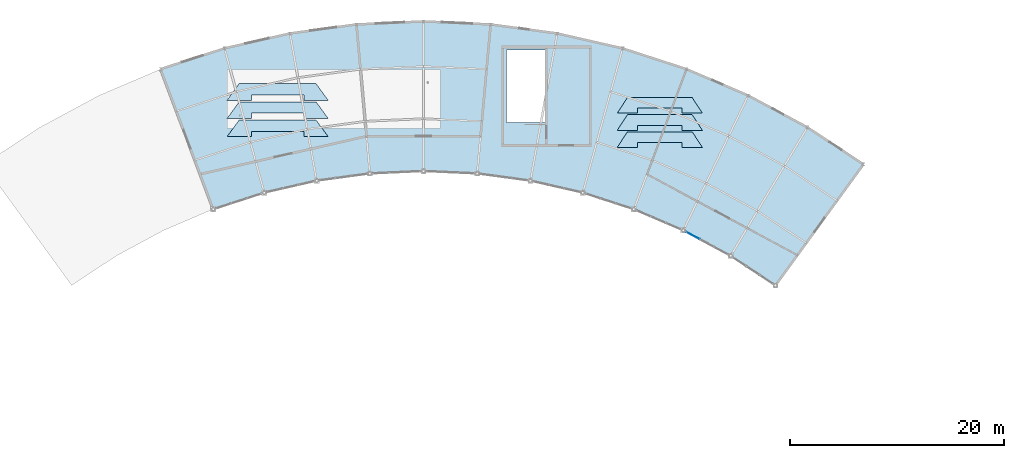
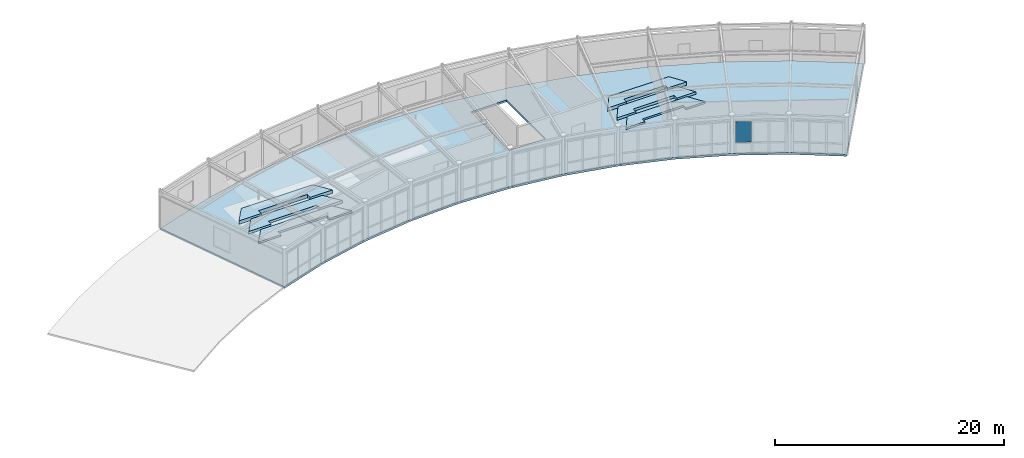
# One storey, part 33 of 54: 7 slabs, 1 plate, 1 element without a shape of its own.
"""IFC4 building model written with IfcOpenShell, lengths in metres."""

from ifc_helpers import new_model, si_unit, direction, frame, origin, origin_2d, place, context, subcontext, project, spatial, polyline, rectangle, outline, extrude, material, layer, layer_set, type_object, element, aggregate, save


model = new_model("IFC4")

# Units and contexts
model_context = context("Model", 3, precision=1e-05, world=origin(), true_north=direction((0.0, 1.0)))
body_context = subcontext(model_context, "Body", "Model", "MODEL_VIEW")
ifc_project = project(units=[si_unit("LENGTHUNIT", "METRE"), si_unit("AREAUNIT", "SQUARE_METRE"), si_unit("VOLUMEUNIT", "CUBIC_METRE"), si_unit("PLANEANGLEUNIT", "RADIAN"), si_unit("MASSUNIT", "GRAM", prefix="KILO")], contexts=[model_context])

# Site, building, storey
site_placement = place(None, origin())
site = spatial("IfcSite", under=ifc_project, at=site_placement, CompositionType="ELEMENT")
building_placement = place(site_placement, origin())
building = spatial("IfcBuilding", under=site, at=building_placement, Name="Selat Folded Stagehouse", CompositionType="ELEMENT")
storey_placement = place(building_placement, frame((0.0, 0.0, 15.0)))
storey = spatial("IfcBuildingStorey", under=building, at=storey_placement, Name="L03", CompositionType="ELEMENT", Elevation=15.0)

# Curtain wall, plate
ifc_material_1 = material(Name="Aluminium 6063-T6", Category="aluminium")
ifc_layer_1 = layer(ifc_material_1, 0.18994140625)
ifc_layer_set_1 = layer_set([ifc_layer_1], Name="Aluminium 6063-T6")
curtain_wall_type = type_object("IfcCurtainWallType", Name="CW-REH-ARC", PredefinedType="NOTDEFINED", material=ifc_layer_set_1)
curtain_wall_placement = place(storey_placement, origin())
curtain_wall = element("IfcCurtainWall", 1, at=curtain_wall_placement, inside=storey, type_object=curtain_wall_type, Name="L03 curtain wall CW-REH-L03-12", PredefinedType="NOTDEFINED")
ifc_material_2 = material(Name="Laminated low-E double glazing", Category="glass")
ifc_layer_2 = layer(ifc_material_2, 0.031982421875)
ifc_layer_set_2 = layer_set([ifc_layer_2], Name="Laminated low-E double glazing")
plate_type = type_object("IfcPlateType", Name="CWP-GLZ-DGU32", PredefinedType="CURTAIN_PANEL", material=ifc_layer_set_2)
plate_placement = place(storey_placement, frame((117.594970703125, 87.971435546875, 1.1826171875), z_axis=(0.0, 0.0, 1.0), x_axis=(-0.880600927119, 0.473858636259, 0.0)))
plate = element("IfcPlate", 2, at=plate_placement, type_object=plate_type, Name="CW-06 panel 3.2", PredefinedType="CURTAIN_PANEL", context=body_context, shape_type="SweptSolid", body=[
    extrude(rectangle(XDim=1.418212890625, YDim=0.031982421875, at=origin_2d()), origin(), (0.0, 0.0, 1.0), 2.202392578125),
])
aggregate(curtain_wall, [plate])

# Slabs
ifc_material_3 = material(Name="Concrete C40/50", Category="concrete")
ifc_layer_3 = layer(ifc_material_3, 0.199951171875)
ifc_layer_set_3 = layer_set([ifc_layer_3], Name="Concrete C40/50")
slab_type_1 = type_object("IfcSlabType", Name="SLAB-FLR-200", PredefinedType="FLOOR", material=ifc_layer_set_3)
slab_1_placement = place(storey_placement, frame((0.0, 0.0, -0.199951171875)))
element("IfcSlab", 3, at=slab_1_placement, inside=storey, type_object=slab_type_1, Name="L03 V6 floor slab SL-L03-V6", PredefinedType="FLOOR", context=body_context, shape_type="SweptSolid", body=[
    extrude(outline(polyline([(72.722900390625, 90.42919921875), (77.501953125, 91.98193359375), (82.40087890625, 93.10009765625), (87.380126953125, 93.774658203125), (92.39990234375, 94.0), (97.419921875, 93.774658203125), (102.399169921875, 93.10009765625), (107.298095703125, 91.98193359375), (112.076904296875, 90.42919921875), (116.697509765625, 88.454345703125), (121.122314453125, 86.072998046875), (125.31591796875, 83.304931640625), (133.544921875, 94.631103515625), (128.302978515625, 98.09130859375), (122.77197265625, 101.06787109375), (116.99609375, 103.536376953125), (111.022705078125, 105.477294921875), (104.89892578125, 106.875), (98.6748046875, 107.71826171875), (92.39990234375, 108.0), (86.125244140625, 107.71826171875), (79.90087890625, 106.875), (73.77734375, 105.477294921875), (67.8037109375, 103.536376953125), (72.722900390625, 90.42919921875)]), holes=[polyline([(103.75, 105.330078125), (103.75, 98.56005859375), (100.14990234375, 98.56005859375), (100.14990234375, 105.330078125), (103.75, 105.330078125)])]), origin(), (0.0, 0.0, 1.0), 0.199951171875),
])
ifc_layer_4 = layer(ifc_material_3, 0.18505859375)
ifc_layer_set_4 = layer_set([ifc_layer_4], Name="Concrete C40/50")
slab_type_2 = type_object("IfcSlabType", Name="SLAB-TIER-T185", PredefinedType="USERDEFINED", material=ifc_layer_set_4)
slab_2_placement = place(storey_placement, origin())
element("IfcSlab", 4, at=slab_2_placement, inside=storey, type_object=slab_type_2, Name="L03 auditorium seating tier TIER-OR-R1", ObjectType="SEATING TIER", PredefinedType="USERDEFINED", context=body_context, shape_type="SweptSolid", body=[
    extrude(outline(polyline([(75.1552734375, 98.780029296875), (74.02001953125, 97.219970703125), (76.290283203125, 97.219970703125), (76.290283203125, 97.71923828125), (81.209716796875, 97.71923828125), (81.209716796875, 97.219970703125), (83.47998046875, 97.219970703125), (82.3447265625, 98.780029296875), (75.1552734375, 98.780029296875)])), origin(), (0.0, 0.0, 1.0), 0.18505859375),
])
slab_3_placement = place(storey_placement, origin())
element("IfcSlab", 5, at=slab_3_placement, inside=storey, type_object=slab_type_2, Name="L03 auditorium seating tier TIER-CH-R1", ObjectType="SEATING TIER", PredefinedType="USERDEFINED", context=body_context, shape_type="SweptSolid", body=[
    extrude(outline(polyline([(111.47509765625, 97.679931640625), (110.52001953125, 96.219970703125), (112.430419921875, 96.219970703125), (112.430419921875, 96.687255859375), (116.569580078125, 96.687255859375), (116.569580078125, 96.219970703125), (118.47998046875, 96.219970703125), (117.52490234375, 97.679931640625), (111.47509765625, 97.679931640625)])), origin(), (0.0, 0.0, 1.0), 0.18505859375),
])
ifc_layer_5 = layer(ifc_material_3, 0.27490234375)
ifc_layer_set_5 = layer_set([ifc_layer_5], Name="Concrete C40/50")
slab_type_3 = type_object("IfcSlabType", Name="SLAB-TIER-T275", PredefinedType="USERDEFINED", material=ifc_layer_set_5)
slab_4_placement = place(storey_placement, origin())
element("IfcSlab", 6, at=slab_4_placement, inside=storey, type_object=slab_type_3, Name="L03 auditorium seating tier TIER-OR-R2", ObjectType="SEATING TIER", PredefinedType="USERDEFINED", context=body_context, shape_type="SweptSolid", body=[
    extrude(outline(polyline([(75.1552734375, 100.47998046875), (74.02001953125, 98.919921875), (76.290283203125, 98.919921875), (76.290283203125, 99.419189453125), (81.209716796875, 99.419189453125), (81.209716796875, 98.919921875), (83.47998046875, 98.919921875), (82.3447265625, 100.47998046875), (75.1552734375, 100.47998046875)])), origin(), (0.0, 0.0, 1.0), 0.27490234375),
])
slab_5_placement = place(storey_placement, origin())
element("IfcSlab", 7, at=slab_5_placement, inside=storey, type_object=slab_type_3, Name="L03 auditorium seating tier TIER-CH-R2", ObjectType="SEATING TIER", PredefinedType="USERDEFINED", context=body_context, shape_type="SweptSolid", body=[
    extrude(outline(polyline([(111.47509765625, 99.280029296875), (110.52001953125, 97.820068359375), (112.430419921875, 97.820068359375), (112.430419921875, 98.287109375), (116.569580078125, 98.287109375), (116.569580078125, 97.820068359375), (118.47998046875, 97.820068359375), (117.52490234375, 99.280029296875), (111.47509765625, 99.280029296875)])), origin(), (0.0, 0.0, 1.0), 0.27490234375),
])
ifc_layer_6 = layer(ifc_material_3, 0.3701171875)
ifc_layer_set_6 = layer_set([ifc_layer_6], Name="Concrete C40/50")
slab_type_4 = type_object("IfcSlabType", Name="SLAB-TIER-T370", PredefinedType="USERDEFINED", material=ifc_layer_set_6)
slab_6_placement = place(storey_placement, origin())
element("IfcSlab", 8, at=slab_6_placement, inside=storey, type_object=slab_type_4, Name="L03 auditorium seating tier TIER-OR-R3", ObjectType="SEATING TIER", PredefinedType="USERDEFINED", context=body_context, shape_type="SweptSolid", body=[
    extrude(outline(polyline([(75.1552734375, 102.179931640625), (74.02001953125, 100.6201171875), (76.290283203125, 100.6201171875), (76.290283203125, 101.119140625), (81.209716796875, 101.119140625), (81.209716796875, 100.6201171875), (83.47998046875, 100.6201171875), (82.3447265625, 102.179931640625), (75.1552734375, 102.179931640625)])), origin(), (0.0, 0.0, 1.0), 0.3701171875),
])
slab_7_placement = place(storey_placement, origin())
element("IfcSlab", 9, at=slab_7_placement, inside=storey, type_object=slab_type_4, Name="L03 auditorium seating tier TIER-CH-R3", ObjectType="SEATING TIER", PredefinedType="USERDEFINED", context=body_context, shape_type="SweptSolid", body=[
    extrude(outline(polyline([(111.47509765625, 100.8798828125), (110.52001953125, 99.419921875), (112.430419921875, 99.419921875), (112.430419921875, 99.88720703125), (116.569580078125, 99.88720703125), (116.569580078125, 99.419921875), (118.47998046875, 99.419921875), (117.52490234375, 100.8798828125), (111.47509765625, 100.8798828125)])), origin(), (0.0, 0.0, 1.0), 0.3701171875),
])

save(model, "model.ifc")
